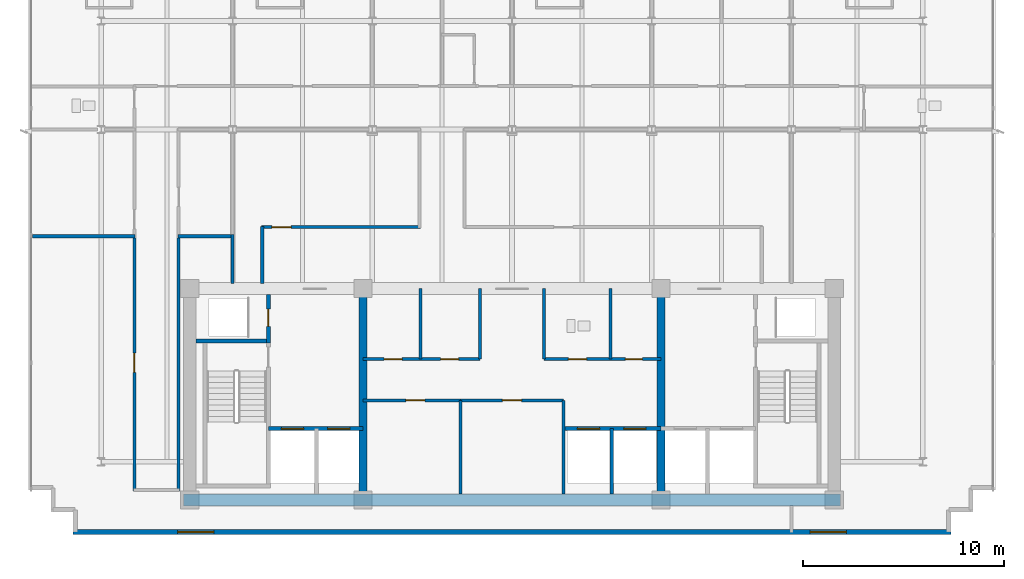
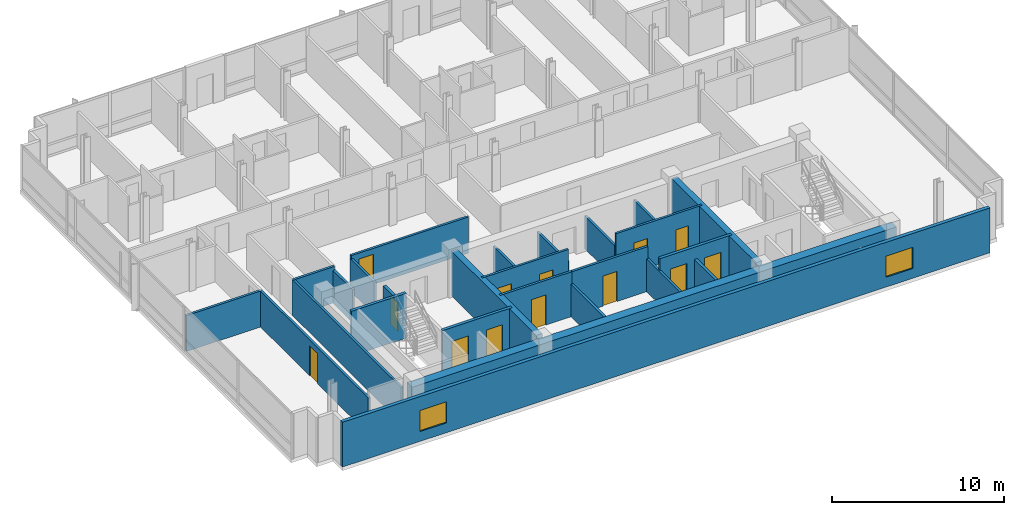
# One storey, part 8 of 15: 26 walls, 13 doors, 2 windows, 15 openings.
"""IFC4 building model written with IfcOpenShell, lengths in metres."""

from ifc_helpers import new_model, si_unit, direction, frame, frame_2d, origin, place, context, subcontext, project, spatial, rectangle, extrude, material, layer, layer_set, type_object, element, fill, save


model = new_model("IFC4")

# Units and contexts
model_context = context("Model", 3, precision=1e-05, world=origin(), true_north=direction((0.0, 1.0)))
body_context = subcontext(model_context, "Body", "Model", "MODEL_VIEW")
ifc_project = project(units=[si_unit("LENGTHUNIT", "METRE"), si_unit("AREAUNIT", "SQUARE_METRE"), si_unit("VOLUMEUNIT", "CUBIC_METRE"), si_unit("PLANEANGLEUNIT", "RADIAN"), si_unit("MASSUNIT", "GRAM", prefix="KILO")], contexts=[model_context])

# Site, building, storey
site_placement = place(None, origin())
site = spatial("IfcSite", under=ifc_project, at=site_placement, CompositionType="ELEMENT")
building_placement = place(site_placement, origin())
building = spatial("IfcBuilding", under=site, at=building_placement, Name="Solmavex Isthmus Hotel", CompositionType="ELEMENT")
storey_placement = place(building_placement, frame((0.0, 0.0, 259.199951171875)))
storey = spatial("IfcBuildingStorey", under=building, at=storey_placement, Name="L70", CompositionType="ELEMENT", Elevation=259.199951171875)

# Wall, openings, windows
ifc_material_1 = material(Name="Precast Concrete C40/50", Category="concrete")
ifc_layer_1 = layer(ifc_material_1, 0.25)
ifc_layer_set_1 = layer_set([ifc_layer_1], Name="Precast Concrete C40/50")
wall_type_1 = type_object("IfcWallType", Name="EW-TWR-250", PredefinedType="STANDARD", material=ifc_layer_set_1)
wall_1_placement = place(storey_placement, frame((-21.800048828125, -14.580078125, 0.0), z_axis=(0.0, 0.0, 1.0), x_axis=(1.0, 0.0, 0.0)))
wall_1 = element("IfcWall", 1, at=wall_1_placement, inside=storey, type_object=wall_type_1, Name="Tower Rear South Facade Wall L70", PredefinedType="STANDARD", context=body_context, shape_type="SweptSolid", body=[
    extrude(rectangle(XDim=43.60009765625, YDim=0.239990234375, at=frame_2d((21.800048828125, 0.0))), origin(), (0.0, 0.0, 1.0), 3.18994140625),
])
opening_1_placement = place(wall_1_placement, frame((5.2041015625, 0.0, 0.699951171875)))
opening_1 = element("IfcOpeningElement", 2, at=opening_1_placement, cuts=wall_1, Name="Opening WN-02", PredefinedType="OPENING", context=body_context, shape_type="SweptSolid", body=[
    extrude(rectangle(XDim=1.800048828125, YDim=1.5, at=frame_2d((0.89990234375, 0.75))), frame((0.0, 0.1298828125, 0.0), z_axis=(0.0, -1.0, 0.0), x_axis=(1.0, 0.0, 0.0)), (0.0, 0.0, 1.0), 0.260009765625),
])
opening_2_placement = place(wall_1_placement, frame((36.595947265625, 0.0, 0.699951171875)))
opening_2 = element("IfcOpeningElement", 3, at=opening_2_placement, cuts=wall_1, Name="Opening WN-02", PredefinedType="OPENING", context=body_context, shape_type="SweptSolid", body=[
    extrude(rectangle(XDim=1.800048828125, YDim=1.5, at=frame_2d((0.89990234375, 0.75))), frame((0.0, 0.1298828125, 0.0), z_axis=(0.0, -1.0, 0.0), x_axis=(1.0, 0.0, 0.0)), (0.0, 0.0, 1.0), 0.260009765625),
])
ifc_material_2 = material(Name="Clear low-E laminated glass", Category="glass")
window_type = type_object("IfcWindowType", Name="WIN-TWR-1800", PartitioningType="SINGLE_PANEL", PredefinedType="WINDOW", material=ifc_material_2)
window_1_placement = place(opening_1_placement, origin())
window_1 = element("IfcWindow", 4, at=window_1_placement, inside=storey, type_object=window_type, Name="South Facade Vision Window L70-S1", OverallHeight=1.5, OverallWidth=1.800048828125, PartitioningType="SINGLE_PANEL", PredefinedType="WINDOW", context=body_context, shape_type="SweptSolid", body=[
    extrude(rectangle(XDim=1.800048828125, YDim=1.5, at=frame_2d((0.89990234375, 0.75))), frame((0.0, 0.030029296875, 0.0), z_axis=(0.0, -1.0, 0.0), x_axis=(1.0, 0.0, 0.0)), (0.0, 0.0, 1.0), 0.06005859375),
])
fill(opening_1, window_1)
window_2_placement = place(opening_2_placement, origin())
window_2 = element("IfcWindow", 5, at=window_2_placement, inside=storey, type_object=window_type, Name="South Facade Vision Window L70-S2", OverallHeight=1.5, OverallWidth=1.800048828125, PartitioningType="SINGLE_PANEL", PredefinedType="WINDOW", context=body_context, shape_type="SweptSolid", body=[
    extrude(rectangle(XDim=1.800048828125, YDim=1.5, at=frame_2d((0.89990234375, 0.75))), frame((0.0, 0.030029296875, 0.0), z_axis=(0.0, -1.0, 0.0), x_axis=(1.0, 0.0, 0.0)), (0.0, 0.0, 1.0), 0.06005859375),
])
fill(opening_2, window_2)

# Wall, opening, door
ifc_material_3 = material(Name="Gypsum plasterboard lining", Category="gypsum")
ifc_layer_2 = layer(ifc_material_3, 0.159912109375)
ifc_layer_set_2 = layer_set([ifc_layer_2], Name="Gypsum plasterboard lining")
wall_type_2 = type_object("IfcWallType", Name="IW-COMP-160", PredefinedType="PARTITIONING", material=ifc_layer_set_2)
wall_2_placement = place(storey_placement, frame((-7.39990234375, -8.050048828125, 0.0), z_axis=(0.0, 0.0, 1.0), x_axis=(1.0, 0.0, 0.0)))
wall_2 = element("IfcWall", 6, at=wall_2_placement, inside=storey, type_object=wall_type_2, Name="Interior Partition Wall W-L70-REC-PLL-N", PredefinedType="PARTITIONING", context=body_context, shape_type="SweptSolid", body=[
    extrude(rectangle(XDim=4.849853515625, YDim=0.159912109375, at=frame_2d((2.4248046875, 0.0))), origin(), (0.0, 0.0, 1.0), 3.18994140625),
])
opening_3_placement = place(wall_2_placement, frame((2.125, 0.0, 0.0)))
opening_3 = element("IfcOpeningElement", 7, at=opening_3_placement, cuts=wall_2, Name="Opening ID-C095", PredefinedType="OPENING", context=body_context, shape_type="SweptSolid", body=[
    extrude(rectangle(XDim=0.949951171875, YDim=2.14990234375, at=frame_2d((0.47509765625, 1.074951171875))), frame((0.0, 0.08984375, 0.0), z_axis=(0.0, -1.0, 0.0), x_axis=(1.0, 0.0, 0.0)), (0.0, 0.0, 1.0), 0.179931640625),
])
ifc_material_4 = material(Name="Hardwood timber", Category="wood")
door_type_1 = type_object("IfcDoorType", Name="IDR-FD60-0950", OperationType="NOTDEFINED", PredefinedType="DOOR", material=ifc_material_4)
door_1_placement = place(opening_3_placement, origin())
door_1 = element("IfcDoor", 8, at=door_1_placement, inside=storey, type_object=door_type_1, Name="Linen Reserve Door L70", OperationType="SINGLE_SWING_LEFT", OverallHeight=2.14990234375, OverallWidth=0.949951171875, PredefinedType="DOOR", context=body_context, shape_type="SweptSolid", body=[
    extrude(rectangle(XDim=0.949951171875, YDim=2.14990234375, at=frame_2d((0.47509765625, 1.074951171875))), frame((0.0, 0.02490234375, 0.0), z_axis=(0.0, -1.0, 0.0), x_axis=(1.0, 0.0, 0.0)), (0.0, 0.0, 1.0), 0.050048828125),
])
fill(opening_3, door_1)

# Wall
wall_3_placement = place(storey_placement, frame((-2.550048828125, -12.699951171875, 0.0), z_axis=(0.0, 0.0, 1.0), x_axis=(0.0, 1.0, 0.0)))
element("IfcWall", 9, at=wall_3_placement, inside=storey, type_object=wall_type_2, Name="Interior Partition Wall W-L70-REC-PLL-E", PredefinedType="PARTITIONING", context=body_context, shape_type="SweptSolid", body=[
    extrude(rectangle(XDim=4.64990234375, YDim=0.159912109375, at=frame_2d((2.324951171875, 0.0))), origin(), (0.0, 0.0, 1.0), 2.324951171875),
])

# Wall, opening, door
wall_4_placement = place(storey_placement, frame((-2.550048828125, -8.050048828125, 0.0), z_axis=(0.0, 0.0, 1.0), x_axis=(1.0, 0.0, 0.0)))
wall_4 = element("IfcWall", 10, at=wall_4_placement, inside=storey, type_object=wall_type_2, Name="Interior Partition Wall W-L70-REC-PLM-N", PredefinedType="PARTITIONING", context=body_context, shape_type="SweptSolid", body=[
    extrude(rectangle(XDim=5.10009765625, YDim=0.159912109375, at=frame_2d((2.550048828125, 0.0))), origin(), (0.0, 0.0, 1.0), 3.18994140625),
])
opening_4_placement = place(wall_4_placement, frame((2.074951171875, 0.0, 0.0)))
opening_4 = element("IfcOpeningElement", 11, at=opening_4_placement, cuts=wall_4, Name="Opening ID-C095", PredefinedType="OPENING", context=body_context, shape_type="SweptSolid", body=[
    extrude(rectangle(XDim=0.949951171875, YDim=2.14990234375, at=frame_2d((0.47509765625, 1.074951171875))), frame((0.0, 0.08984375, 0.0), z_axis=(0.0, -1.0, 0.0), x_axis=(1.0, 0.0, 0.0)), (0.0, 0.0, 1.0), 0.179931640625),
])
door_2_placement = place(opening_4_placement, origin())
door_2 = element("IfcDoor", 12, at=door_2_placement, inside=storey, type_object=door_type_1, Name="Butler Store Door L70", OperationType="SINGLE_SWING_RIGHT", OverallHeight=2.14990234375, OverallWidth=0.949951171875, PredefinedType="DOOR", context=body_context, shape_type="SweptSolid", body=[
    extrude(rectangle(XDim=0.949951171875, YDim=2.14990234375, at=frame_2d((0.47509765625, 1.074951171875))), frame((0.0, 0.02490234375, 0.0), z_axis=(0.0, -1.0, 0.0), x_axis=(1.0, 0.0, 0.0)), (0.0, 0.0, 1.0), 0.050048828125),
])
fill(opening_4, door_2)

# Walls
wall_5_placement = place(storey_placement, frame((2.550048828125, -12.699951171875, 0.0), z_axis=(0.0, 0.0, 1.0), x_axis=(0.0, 1.0, 0.0)))
element("IfcWall", 13, at=wall_5_placement, inside=storey, type_object=wall_type_2, Name="Interior Partition Wall W-L70-REC-PLM-E", PredefinedType="PARTITIONING", context=body_context, shape_type="SweptSolid", body=[
    extrude(rectangle(XDim=4.64990234375, YDim=0.159912109375, at=frame_2d((2.324951171875, 0.0))), origin(), (0.0, 0.0, 1.0), 2.324951171875),
])
wall_6_placement = place(storey_placement, frame((-13.83203125, 0.10009765625, 0.0), z_axis=(0.0, 0.0, 1.0), x_axis=(-1.0, 0.0, 0.0)))
element("IfcWall", 14, at=wall_6_placement, inside=storey, type_object=wall_type_2, Name="Interior Partition Wall W-L70-P091", PredefinedType="PARTITIONING", context=body_context, shape_type="SweptSolid", body=[
    extrude(rectangle(XDim=2.758056640625, YDim=0.159912109375, at=frame_2d((1.37890625, 0.0))), origin(), (0.0, 0.0, 1.0), 2.572265625),
])
wall_7_placement = place(storey_placement, frame((-18.7099609375, 0.10009765625, 0.0), z_axis=(0.0, 0.0, 1.0), x_axis=(-1.0, 0.0, 0.0)))
element("IfcWall", 15, at=wall_7_placement, inside=storey, type_object=wall_type_2, Name="Interior Partition Wall W-L70-P092", PredefinedType="PARTITIONING", context=body_context, shape_type="SweptSolid", body=[
    extrude(rectangle(XDim=5.090087890625, YDim=0.159912109375, at=frame_2d((2.544921875, 0.0))), origin(), (0.0, 0.0, 1.0), 2.5576171875),
])
wall_8_placement = place(storey_placement, frame((-13.8720703125, -2.239990234375, 0.0), z_axis=(0.0, 0.0, 1.0), x_axis=(0.0, 1.0, 0.0)))
element("IfcWall", 16, at=wall_8_placement, inside=storey, type_object=wall_type_2, Name="Interior Partition Wall W-L70-P093", PredefinedType="PARTITIONING", context=body_context, shape_type="SweptSolid", body=[
    extrude(rectangle(XDim=2.421875, YDim=0.159912109375, at=frame_2d((1.2109375, 0.0))), origin(), (0.0, 0.0, 1.0), 2.324951171875),
])

# Wall, openings, doors
ifc_layer_3 = layer(ifc_material_3, 0.14990234375)
ifc_layer_set_3 = layer_set([ifc_layer_3], Name="Gypsum plasterboard lining")
wall_type_3 = type_object("IfcWallType", Name="IW-CORR-150", PredefinedType="PARTITIONING", material=ifc_layer_set_3)
wall_9_placement = place(storey_placement, frame((-7.39990234375, -6.0, 0.0), z_axis=(0.0, 0.0, 1.0), x_axis=(1.0, 0.0, 0.0)))
wall_9 = element("IfcWall", 17, at=wall_9_placement, inside=storey, type_object=wall_type_3, Name="Interior Partition Wall W-L70-BOH-WS", PredefinedType="PARTITIONING", context=body_context, shape_type="SweptSolid", body=[
    extrude(rectangle(XDim=5.7998046875, YDim=0.14990234375, at=frame_2d((2.89990234375, 0.0))), origin(), (0.0, 0.0, 1.0), 3.18994140625),
])
opening_5_placement = place(wall_9_placement, frame((1.050048828125, 0.0, 0.0)))
opening_5 = element("IfcOpeningElement", 18, at=opening_5_placement, cuts=wall_9, Name="Opening ID-C090", PredefinedType="OPENING", context=body_context, shape_type="SweptSolid", body=[
    extrude(rectangle(XDim=0.89990234375, YDim=2.10009765625, at=frame_2d((0.449951171875, 1.050048828125))), frame((0.0, 0.0849609375, 0.0), z_axis=(0.0, -1.0, 0.0), x_axis=(1.0, 0.0, 0.0)), (0.0, 0.0, 1.0), 0.169921875),
])
opening_6_placement = place(wall_9_placement, frame((3.85009765625, 0.0, 0.0)))
opening_6 = element("IfcOpeningElement", 19, at=opening_6_placement, cuts=wall_9, Name="Opening ID-C090", PredefinedType="OPENING", context=body_context, shape_type="SweptSolid", body=[
    extrude(rectangle(XDim=0.89990234375, YDim=2.10009765625, at=frame_2d((0.449951171875, 1.050048828125))), frame((0.0, 0.0849609375, 0.0), z_axis=(0.0, -1.0, 0.0), x_axis=(1.0, 0.0, 0.0)), (0.0, 0.0, 1.0), 0.169921875),
])
door_type_2 = type_object("IfcDoorType", Name="IDR-FD60-0900", OperationType="NOTDEFINED", PredefinedType="DOOR", material=ifc_material_4)
door_3_placement = place(opening_5_placement, frame((0.89990234375, 0.0, 0.0), z_axis=(0.0, 0.0, 1.0), x_axis=(-1.0, 0.0, 0.0)))
door_3 = element("IfcDoor", 20, at=door_3_placement, inside=storey, type_object=door_type_2, Name="Linen Room Door L70", OperationType="SINGLE_SWING_LEFT", OverallHeight=2.10009765625, OverallWidth=0.89990234375, PredefinedType="DOOR", context=body_context, shape_type="SweptSolid", body=[
    extrude(rectangle(XDim=0.89990234375, YDim=2.10009765625, at=frame_2d((0.449951171875, 1.050048828125))), frame((0.0, 0.02490234375, 0.0), z_axis=(0.0, -1.0, 0.0), x_axis=(1.0, 0.0, 0.0)), (0.0, 0.0, 1.0), 0.050048828125),
])
fill(opening_5, door_3)
door_4_placement = place(opening_6_placement, frame((0.89990234375, 0.0, 0.0), z_axis=(0.0, 0.0, 1.0), x_axis=(-1.0, 0.0, 0.0)))
door_4 = element("IfcDoor", 21, at=door_4_placement, inside=storey, type_object=door_type_2, Name="Ice Pantry Door L70", OperationType="SINGLE_SWING_RIGHT", OverallHeight=2.10009765625, OverallWidth=0.89990234375, PredefinedType="DOOR", context=body_context, shape_type="SweptSolid", body=[
    extrude(rectangle(XDim=0.89990234375, YDim=2.10009765625, at=frame_2d((0.449951171875, 1.050048828125))), frame((0.0, 0.02490234375, 0.0), z_axis=(0.0, -1.0, 0.0), x_axis=(1.0, 0.0, 0.0)), (0.0, 0.0, 1.0), 0.050048828125),
])
fill(opening_6, door_4)

# Wall
wall_10_placement = place(storey_placement, frame((-1.60009765625, -6.0, 0.0), z_axis=(0.0, 0.0, 1.0), x_axis=(0.0, 1.0, 0.0)))
element("IfcWall", 22, at=wall_10_placement, inside=storey, type_object=wall_type_3, Name="Interior Partition Wall W-L70-BOH-WE", PredefinedType="PARTITIONING", context=body_context, shape_type="SweptSolid", body=[
    extrude(rectangle(XDim=3.5, YDim=0.14990234375, at=frame_2d((1.75, 0.0))), origin(), (0.0, 0.0, 1.0), 2.324951171875),
])

# Wall, openings, doors
wall_11_placement = place(storey_placement, frame((1.60009765625, -6.0, 0.0), z_axis=(0.0, 0.0, 1.0), x_axis=(1.0, 0.0, 0.0)))
wall_11 = element("IfcWall", 23, at=wall_11_placement, inside=storey, type_object=wall_type_3, Name="Interior Partition Wall W-L70-BOH-ES", PredefinedType="PARTITIONING", context=body_context, shape_type="SweptSolid", body=[
    extrude(rectangle(XDim=5.7998046875, YDim=0.14990234375, at=frame_2d((2.89990234375, 0.0))), origin(), (0.0, 0.0, 1.0), 3.18994140625),
])
opening_7_placement = place(wall_11_placement, frame((1.199951171875, 0.0, 0.0)))
opening_7 = element("IfcOpeningElement", 24, at=opening_7_placement, cuts=wall_11, Name="Opening ID-C090", PredefinedType="OPENING", context=body_context, shape_type="SweptSolid", body=[
    extrude(rectangle(XDim=0.89990234375, YDim=2.10009765625, at=frame_2d((0.449951171875, 1.050048828125))), frame((0.0, 0.0849609375, 0.0), z_axis=(0.0, -1.0, 0.0), x_axis=(1.0, 0.0, 0.0)), (0.0, 0.0, 1.0), 0.169921875),
])
opening_8_placement = place(wall_11_placement, frame((4.02490234375, 0.0, 0.0)))
opening_8 = element("IfcOpeningElement", 25, at=opening_8_placement, cuts=wall_11, Name="Opening ID-R085", PredefinedType="OPENING", context=body_context, shape_type="SweptSolid", body=[
    extrude(rectangle(XDim=0.85009765625, YDim=2.050048828125, at=frame_2d((0.425048828125, 1.02490234375))), frame((0.0, 0.0849609375, 0.0), z_axis=(0.0, -1.0, 0.0), x_axis=(1.0, 0.0, 0.0)), (0.0, 0.0, 1.0), 0.169921875),
])
ifc_material_5 = material(Name="Steel ASTM A500 Grade C", Category="steel")
door_type_3 = type_object("IfcDoorType", Name="IDR-FD60-0850", OperationType="NOTDEFINED", PredefinedType="DOOR", material=ifc_material_5)
door_5_placement = place(opening_8_placement, frame((0.85009765625, 0.0, 0.0), z_axis=(0.0, 0.0, 1.0), x_axis=(-1.0, 0.0, 0.0)))
door_5 = element("IfcDoor", 26, at=door_5_placement, inside=storey, type_object=door_type_3, Name="IT Room Door L70", OperationType="SINGLE_SWING_RIGHT", OverallHeight=2.050048828125, OverallWidth=0.85009765625, PredefinedType="DOOR", context=body_context, shape_type="SweptSolid", body=[
    extrude(rectangle(XDim=0.85009765625, YDim=2.050048828125, at=frame_2d((0.425048828125, 1.02490234375))), frame((0.0, 0.02490234375, 0.0), z_axis=(0.0, -1.0, 0.0), x_axis=(1.0, 0.0, 0.0)), (0.0, 0.0, 1.0), 0.050048828125),
])
fill(opening_8, door_5)
door_6_placement = place(opening_7_placement, frame((0.89990234375, 0.0, 0.0), z_axis=(0.0, 0.0, 1.0), x_axis=(-1.0, 0.0, 0.0)))
door_6 = element("IfcDoor", 27, at=door_6_placement, inside=storey, type_object=door_type_2, Name="Staff Restroom Door L70", OperationType="SINGLE_SWING_LEFT", OverallHeight=2.10009765625, OverallWidth=0.89990234375, PredefinedType="DOOR", context=body_context, shape_type="SweptSolid", body=[
    extrude(rectangle(XDim=0.89990234375, YDim=2.10009765625, at=frame_2d((0.449951171875, 1.050048828125))), frame((0.0, 0.02490234375, 0.0), z_axis=(0.0, -1.0, 0.0), x_axis=(1.0, 0.0, 0.0)), (0.0, 0.0, 1.0), 0.050048828125),
])
fill(opening_7, door_6)

# Walls
wall_12_placement = place(storey_placement, frame((1.60009765625, -6.0, 0.0), z_axis=(0.0, 0.0, 1.0), x_axis=(0.0, 1.0, 0.0)))
element("IfcWall", 28, at=wall_12_placement, inside=storey, type_object=wall_type_3, Name="Interior Partition Wall W-L70-BOH-EW", PredefinedType="PARTITIONING", context=body_context, shape_type="SweptSolid", body=[
    extrude(rectangle(XDim=3.5, YDim=0.14990234375, at=frame_2d((1.75, 0.0))), origin(), (0.0, 0.0, 1.0), 2.324951171875),
])
wall_13_placement = place(storey_placement, frame((-12.39990234375, -2.239990234375, 0.0), z_axis=(0.0, 0.0, 1.0), x_axis=(0.0, 1.0, 0.0)))
element("IfcWall", 29, at=wall_13_placement, inside=storey, type_object=wall_type_3, Name="Interior Partition Wall W-L70-P015", PredefinedType="PARTITIONING", context=body_context, shape_type="SweptSolid", body=[
    extrude(rectangle(XDim=2.830078125, YDim=0.14990234375, at=frame_2d((1.4150390625, 0.0))), origin(), (0.0, 0.0, 1.0), 2.324951171875),
])

# Wall, opening, door
wall_14_placement = place(storey_placement, frame((-12.43994140625, 0.550048828125, 0.0), z_axis=(0.0, 0.0, 1.0), x_axis=(1.0, 0.0, 0.0)))
wall_14 = element("IfcWall", 30, at=wall_14_placement, inside=storey, type_object=wall_type_3, Name="Interior Partition Wall W-L70-P016", PredefinedType="PARTITIONING", context=body_context, shape_type="SweptSolid", body=[
    extrude(rectangle(XDim=7.891845703125, YDim=0.14990234375, at=frame_2d((3.94580078125, 0.0))), origin(), (0.0, 0.0, 1.0), 2.572265625),
])
opening_9_placement = place(wall_14_placement, frame((0.51806640625, 0.0, 0.0)))
opening_9 = element("IfcOpeningElement", 31, at=opening_9_placement, cuts=wall_14, Name="Opening ID-C095", PredefinedType="OPENING", context=body_context, shape_type="SweptSolid", body=[
    extrude(rectangle(XDim=0.949951171875, YDim=2.14990234375, at=frame_2d((0.47509765625, 1.074951171875))), frame((0.0, 0.0849609375, 0.0), z_axis=(0.0, -1.0, 0.0), x_axis=(1.0, 0.0, 0.0)), (0.0, 0.0, 1.0), 0.169921875),
])
door_7_placement = place(opening_9_placement, origin())
door_7 = element("IfcDoor", 32, at=door_7_placement, inside=storey, type_object=door_type_1, Name="Catering Servery Kitchen Door L70-24", OperationType="SINGLE_SWING_RIGHT", OverallHeight=2.14990234375, OverallWidth=0.949951171875, PredefinedType="DOOR", context=body_context, shape_type="SweptSolid", body=[
    extrude(rectangle(XDim=0.949951171875, YDim=2.14990234375, at=frame_2d((0.47509765625, 1.074951171875))), frame((0.0, 0.02490234375, 0.0), z_axis=(0.0, -1.0, 0.0), x_axis=(1.0, 0.0, 0.0)), (0.0, 0.0, 1.0), 0.050048828125),
])
fill(opening_9, door_7)

# Wall
wall_15_placement = place(storey_placement, frame((-16.550048828125, 0.181884765625, 0.0), z_axis=(0.0, 0.0, 1.0), x_axis=(0.0, -1.0, 0.0)))
element("IfcWall", 33, at=wall_15_placement, inside=storey, type_object=wall_type_3, Name="Interior Partition Wall W-L70-P029", PredefinedType="PARTITIONING", context=body_context, shape_type="SweptSolid", body=[
    extrude(rectangle(XDim=12.721923828125, YDim=0.14990234375, at=frame_2d((6.36083984375, 0.0))), origin(), (0.0, 0.0, 1.0), 2.5576171875),
])

# Wall, opening, door
wall_16_placement = place(storey_placement, frame((-18.75, -12.5400390625, 0.0), z_axis=(0.0, 0.0, 1.0), x_axis=(0.0, 1.0, 0.0)))
wall_16 = element("IfcWall", 34, at=wall_16_placement, inside=storey, type_object=wall_type_3, Name="Interior Partition Wall W-L70-P031", PredefinedType="PARTITIONING", context=body_context, shape_type="SweptSolid", body=[
    extrude(rectangle(XDim=12.721923828125, YDim=0.14990234375, at=frame_2d((6.36083984375, 0.0))), origin(), (0.0, 0.0, 1.0), 2.5576171875),
])
opening_10_placement = place(wall_16_placement, frame((5.885986328125, 0.0, 0.0)))
opening_10 = element("IfcOpeningElement", 35, at=opening_10_placement, cuts=wall_16, Name="Opening ID-C095", PredefinedType="OPENING", context=body_context, shape_type="SweptSolid", body=[
    extrude(rectangle(XDim=0.949951171875, YDim=2.14990234375, at=frame_2d((0.47509765625, 1.074951171875))), frame((0.0, 0.0849609375, 0.0), z_axis=(0.0, -1.0, 0.0), x_axis=(1.0, 0.0, 0.0)), (0.0, 0.0, 1.0), 0.169921875),
])
door_8_placement = place(opening_10_placement, origin())
door_8 = element("IfcDoor", 36, at=door_8_placement, inside=storey, type_object=door_type_1, Name="Executive Hospitality Lounge Door L70-26", OperationType="SINGLE_SWING_RIGHT", OverallHeight=2.14990234375, OverallWidth=0.949951171875, PredefinedType="DOOR", context=body_context, shape_type="SweptSolid", body=[
    extrude(rectangle(XDim=0.949951171875, YDim=2.14990234375, at=frame_2d((0.47509765625, 1.074951171875))), frame((0.0, 0.02490234375, 0.0), z_axis=(0.0, -1.0, 0.0), x_axis=(1.0, 0.0, 0.0)), (0.0, 0.0, 1.0), 0.050048828125),
])
fill(opening_10, door_8)

# Walls
ifc_layer_4 = layer(ifc_material_3, 0.1201171875)
ifc_layer_set_4 = layer_set([ifc_layer_4], Name="Gypsum plasterboard lining")
wall_type_4 = type_object("IfcWallType", Name="IW-PART-120", PredefinedType="PARTITIONING", material=ifc_layer_set_4)
for number, where, z_axis, x_axis, name in (
    (37, (-4.550048828125, -6.0, 0.0), (0.0, 0.0, 1.0), (0.0, 1.0, 0.0), "Interior Partition Wall W-L70-BOH-WM2"),
    (38, (4.89990234375, -6.0, 0.0), (0.0, 0.0, 1.0), (0.0, 1.0, 0.0), "Interior Partition Wall W-L70-BOH-EM2"),
):
    element("IfcWall", number, at=place(storey_placement, frame(where, z_axis=z_axis, x_axis=x_axis)), inside=storey, type_object=wall_type_4, Name=name, PredefinedType="PARTITIONING", context=body_context, shape_type="SweptSolid", body=[
        extrude(rectangle(XDim=3.5, YDim=0.14990234375, at=frame_2d((1.75, 0.0))), origin(), (0.0, 0.0, 1.0), 2.324951171875),
    ])
ifc_material_6 = material(Name="Concrete C40/50", Category="concrete")
ifc_layer_5 = layer(ifc_material_6, 0.179931640625)
ifc_layer_set_5 = layer_set([ifc_layer_5], Name="Concrete C40/50")
wall_type_5 = type_object("IfcWallType", Name="IW-SHAFT-180", PredefinedType="PARTITIONING", material=ifc_layer_set_5)
wall_17_placement = place(storey_placement, frame((4.949951171875, -12.699951171875, 0.0), z_axis=(0.0, 0.0, 1.0), x_axis=(0.0, 1.0, 0.0)))
element("IfcWall", 39, at=wall_17_placement, inside=storey, type_object=wall_type_5, Name="Interior Partition Wall W-L70-SH-PLH-M", PredefinedType="PARTITIONING", context=body_context, shape_type="SweptSolid", body=[
    extrude(rectangle(XDim=3.25, YDim=0.179931640625, at=frame_2d((1.625, 0.0))), origin(), (0.0, 0.0, 1.0), 2.324951171875),
])

# Wall, opening, door
ifc_layer_6 = layer(ifc_material_6, 0.199951171875)
ifc_layer_set_6 = layer_set([ifc_layer_6], Name="Concrete C40/50")
wall_type_6 = type_object("IfcWallType", Name="IW-SHAFT-200", PredefinedType="PARTITIONING", material=ifc_layer_set_6)
wall_18_placement = place(storey_placement, frame((-12.10009765625, -5.199951171875, 0.0), z_axis=(0.0, 0.0, 1.0), x_axis=(0.0, 1.0, 0.0)))
wall_18 = element("IfcWall", 40, at=wall_18_placement, inside=storey, type_object=wall_type_6, Name="Interior Partition Wall W-L70-RSW-E", PredefinedType="PARTITIONING", context=body_context, shape_type="SweptSolid", body=[
    extrude(rectangle(XDim=2.39990234375, YDim=0.199951171875, at=frame_2d((1.199951171875, 0.0))), origin(), (0.0, 0.0, 1.0), 2.324951171875),
])
opening_11_placement = place(wall_18_placement, frame((0.824951171875, 0.0, 0.0)))
opening_11 = element("IfcOpeningElement", 41, at=opening_11_placement, cuts=wall_18, Name="Opening ID-R085", PredefinedType="OPENING", context=body_context, shape_type="SweptSolid", body=[
    extrude(rectangle(XDim=0.85009765625, YDim=2.050048828125, at=frame_2d((0.425048828125, 1.02490234375))), frame((0.0, 0.10986328125, 0.0), z_axis=(0.0, -1.0, 0.0), x_axis=(1.0, 0.0, 0.0)), (0.0, 0.0, 1.0), 0.219970703125),
])
door_9_placement = place(opening_11_placement, origin())
door_9 = element("IfcDoor", 42, at=door_9_placement, inside=storey, type_object=door_type_3, Name="Electrical Riser Door L70", OperationType="SINGLE_SWING_RIGHT", OverallHeight=2.050048828125, OverallWidth=0.85009765625, PredefinedType="DOOR", context=body_context, shape_type="SweptSolid", body=[
    extrude(rectangle(XDim=0.85009765625, YDim=2.050048828125, at=frame_2d((0.425048828125, 1.02490234375))), frame((0.0, 0.02490234375, 0.0), z_axis=(0.0, -1.0, 0.0), x_axis=(1.0, 0.0, 0.0)), (0.0, 0.0, 1.0), 0.050048828125),
])
fill(opening_11, door_9)

# Wall, openings, doors
wall_19_placement = place(storey_placement, frame((-12.10009765625, -9.449951171875, 0.0), z_axis=(0.0, 0.0, 1.0), x_axis=(1.0, 0.0, 0.0)))
wall_19 = element("IfcWall", 43, at=wall_19_placement, inside=storey, type_object=wall_type_6, Name="Interior Partition Wall W-L70-FFLW-S", PredefinedType="PARTITIONING", context=body_context, shape_type="SweptSolid", body=[
    extrude(rectangle(XDim=4.7001953125, YDim=0.199951171875, at=frame_2d((2.35009765625, 0.0))), origin(), (0.0, 0.0, 1.0), 3.18994140625),
])
opening_12_placement = place(wall_19_placement, frame((0.64990234375, 0.0, 0.0)))
opening_12 = element("IfcOpeningElement", 44, at=opening_12_placement, cuts=wall_19, Name="Opening LD-FF", PredefinedType="OPENING", context=body_context, shape_type="SweptSolid", body=[
    extrude(rectangle(XDim=1.10009765625, YDim=2.199951171875, at=frame_2d((0.550048828125, 1.10009765625))), frame((0.0, 0.10986328125, 0.0), z_axis=(0.0, -1.0, 0.0), x_axis=(1.0, 0.0, 0.0)), (0.0, 0.0, 1.0), 0.219970703125),
])
opening_13_placement = place(wall_19_placement, frame((2.949951171875, 0.0, 0.0)))
opening_13 = element("IfcOpeningElement", 45, at=opening_13_placement, cuts=wall_19, Name="Opening LD-SV", PredefinedType="OPENING", context=body_context, shape_type="SweptSolid", body=[
    extrude(rectangle(XDim=1.10009765625, YDim=2.199951171875, at=frame_2d((0.550048828125, 1.10009765625))), frame((0.0, 0.10986328125, 0.0), z_axis=(0.0, -1.0, 0.0), x_axis=(1.0, 0.0, 0.0)), (0.0, 0.0, 1.0), 0.219970703125),
])
ifc_material_7 = material(Name="Stainless steel 316", Category="steel")
door_type_4 = type_object("IfcDoorType", Name="LDR-FF-1100", OperationType="NOTDEFINED", PredefinedType="DOOR", material=ifc_material_7)
door_10_placement = place(opening_12_placement, origin())
door_10 = element("IfcDoor", 46, at=door_10_placement, inside=storey, type_object=door_type_4, Name="Lift Landing Door FFL-1 L70", OperationType="SLIDING_TO_LEFT", OverallHeight=2.199951171875, OverallWidth=1.10009765625, PredefinedType="DOOR", context=body_context, shape_type="SweptSolid", body=[
    extrude(rectangle(XDim=1.10009765625, YDim=2.199951171875, at=frame_2d((0.550048828125, 1.10009765625))), frame((0.0, 0.02490234375, 0.0), z_axis=(0.0, -1.0, 0.0), x_axis=(1.0, 0.0, 0.0)), (0.0, 0.0, 1.0), 0.050048828125),
])
fill(opening_12, door_10)
door_type_5 = type_object("IfcDoorType", Name="LDR-SV-1100", OperationType="NOTDEFINED", PredefinedType="DOOR", material=ifc_material_7)
door_11_placement = place(opening_13_placement, origin())
door_11 = element("IfcDoor", 47, at=door_11_placement, inside=storey, type_object=door_type_5, Name="Lift Landing Door SVL-1 L70", OperationType="SLIDING_TO_RIGHT", OverallHeight=2.199951171875, OverallWidth=1.10009765625, PredefinedType="DOOR", context=body_context, shape_type="SweptSolid", body=[
    extrude(rectangle(XDim=1.10009765625, YDim=2.199951171875, at=frame_2d((0.550048828125, 1.10009765625))), frame((0.0, 0.02490234375, 0.0), z_axis=(0.0, -1.0, 0.0), x_axis=(1.0, 0.0, 0.0)), (0.0, 0.0, 1.0), 0.050048828125),
])
fill(opening_13, door_11)

wall_20_placement = place(storey_placement, frame((2.550048828125, -9.449951171875, 0.0), z_axis=(0.0, 0.0, 1.0), x_axis=(1.0, 0.0, 0.0)))
wall_20 = element("IfcWall", 48, at=wall_20_placement, inside=storey, type_object=wall_type_6, Name="Interior Partition Wall W-L70-SH-PLH", PredefinedType="PARTITIONING", context=body_context, shape_type="SweptSolid", body=[
    extrude(rectangle(XDim=4.849853515625, YDim=0.199951171875, at=frame_2d((2.4248046875, 0.0))), origin(), (0.0, 0.0, 1.0), 3.18994140625),
])
opening_14_placement = place(wall_20_placement, frame((0.699951171875, 0.0, 0.0)))
opening_14 = element("IfcOpeningElement", 49, at=opening_14_placement, cuts=wall_20, Name="Opening LD-PL", PredefinedType="OPENING", context=body_context, shape_type="SweptSolid", body=[
    extrude(rectangle(XDim=1.10009765625, YDim=2.199951171875, at=frame_2d((0.550048828125, 1.10009765625))), frame((0.0, 0.10986328125, 0.0), z_axis=(0.0, -1.0, 0.0), x_axis=(1.0, 0.0, 0.0)), (0.0, 0.0, 1.0), 0.219970703125),
])
opening_15_placement = place(wall_20_placement, frame((3.0, 0.0, 0.0)))
opening_15 = element("IfcOpeningElement", 50, at=opening_15_placement, cuts=wall_20, Name="Opening LD-PL", PredefinedType="OPENING", context=body_context, shape_type="SweptSolid", body=[
    extrude(rectangle(XDim=1.10009765625, YDim=2.199951171875, at=frame_2d((0.550048828125, 1.10009765625))), frame((0.0, 0.10986328125, 0.0), z_axis=(0.0, -1.0, 0.0), x_axis=(1.0, 0.0, 0.0)), (0.0, 0.0, 1.0), 0.219970703125),
])
door_type_6 = type_object("IfcDoorType", Name="LDR-PL-1100", OperationType="NOTDEFINED", PredefinedType="DOOR", material=ifc_material_7)
door_12_placement = place(opening_14_placement, origin())
door_12 = element("IfcDoor", 51, at=door_12_placement, inside=storey, type_object=door_type_6, Name="Lift Landing Door PLH1 L70", OperationType="SLIDING_TO_LEFT", OverallHeight=2.199951171875, OverallWidth=1.10009765625, PredefinedType="DOOR", context=body_context, shape_type="SweptSolid", body=[
    extrude(rectangle(XDim=1.10009765625, YDim=2.199951171875, at=frame_2d((0.550048828125, 1.10009765625))), frame((0.0, 0.02490234375, 0.0), z_axis=(0.0, -1.0, 0.0), x_axis=(1.0, 0.0, 0.0)), (0.0, 0.0, 1.0), 0.050048828125),
])
fill(opening_14, door_12)
door_13_placement = place(opening_15_placement, origin())
door_13 = element("IfcDoor", 52, at=door_13_placement, inside=storey, type_object=door_type_6, Name="Lift Landing Door PLH2 L70", OperationType="SLIDING_TO_LEFT", OverallHeight=2.199951171875, OverallWidth=1.10009765625, PredefinedType="DOOR", context=body_context, shape_type="SweptSolid", body=[
    extrude(rectangle(XDim=1.10009765625, YDim=2.199951171875, at=frame_2d((0.550048828125, 1.10009765625))), frame((0.0, 0.02490234375, 0.0), z_axis=(0.0, -1.0, 0.0), x_axis=(1.0, 0.0, 0.0)), (0.0, 0.0, 1.0), 0.050048828125),
])
fill(opening_15, door_13)

# Walls
ifc_material_8 = material(Name="Concrete C50/60", Category="concrete")
ifc_layer_7 = layer(ifc_material_8, 0.39990234375)
ifc_layer_set_7 = layer_set([ifc_layer_7], Name="Concrete C50/60")
wall_type_7 = type_object("IfcWallType", Name="WALL-CW-400H", PredefinedType="SHEAR", material=ifc_layer_set_7)
for number, where, z_axis, x_axis, name in (
    (53, (-7.39990234375, -12.699951171875, 0.0), (0.0, 0.0, 1.0), (0.0, 1.0, 0.0), "Core Cross Shear Wall C1 L70"),
    (54, (7.39990234375, -12.699951171875, 0.0), (0.0, 0.0, 1.0), (0.0, 1.0, 0.0), "Core Cross Shear Wall C2 L70"),
):
    element("IfcWall", number, at=place(storey_placement, frame(where, z_axis=z_axis, x_axis=x_axis)), inside=storey, type_object=wall_type_7, Name=name, PredefinedType="SHEAR", context=body_context, shape_type="SweptSolid", body=[
        extrude(rectangle(XDim=9.89990234375, YDim=0.39990234375, at=frame_2d((4.949951171875, 0.0))), origin(), (0.0, 0.0, 1.0), 3.18994140625),
    ])
ifc_layer_8 = layer(ifc_material_8, 0.60009765625)
ifc_layer_set_8 = layer_set([ifc_layer_8], Name="Concrete C50/60")
wall_type_8 = type_object("IfcWallType", Name="WALL-CW-600", PredefinedType="SHEAR", material=ifc_layer_set_8)
wall_21_placement = place(storey_placement, frame((-16.300048828125, -13.0, 0.0), z_axis=(0.0, 0.0, 1.0), x_axis=(1.0, 0.0, 0.0)))
element("IfcWall", 55, at=wall_21_placement, inside=storey, type_object=wall_type_8, Name="Core Shear Wall South L70", PredefinedType="SHEAR", context=body_context, shape_type="SweptSolid", body=[
    extrude(rectangle(XDim=32.60009765625, YDim=0.60009765625, at=frame_2d((16.300048828125, 0.0))), origin(), (0.0, 0.0, 1.0), 2.91015625),
])
ifc_layer_9 = layer(ifc_material_6, 0.199951171875)
ifc_layer_set_9 = layer_set([ifc_layer_9], Name="Concrete C40/50")
wall_type_9 = type_object("IfcWallType", Name="WALL-SW-200", PredefinedType="SOLIDWALL", material=ifc_layer_set_9)
wall_22_placement = place(storey_placement, frame((-15.699951171875, -5.10009765625, 0.0), z_axis=(0.0, 0.0, 1.0), x_axis=(1.0, 0.0, 0.0)))
element("IfcWall", 56, at=wall_22_placement, inside=storey, type_object=wall_type_9, Name="Stairwell Structural Wall SW-L70-ST1-N", PredefinedType="SOLIDWALL", context=body_context, shape_type="SweptSolid", body=[
    extrude(rectangle(XDim=3.699951171875, YDim=0.199951171875, at=frame_2d((1.85009765625, 0.0))), origin(), (0.0, 0.0, 1.0), 3.18994140625),
])

save(model, "model.ifc")
